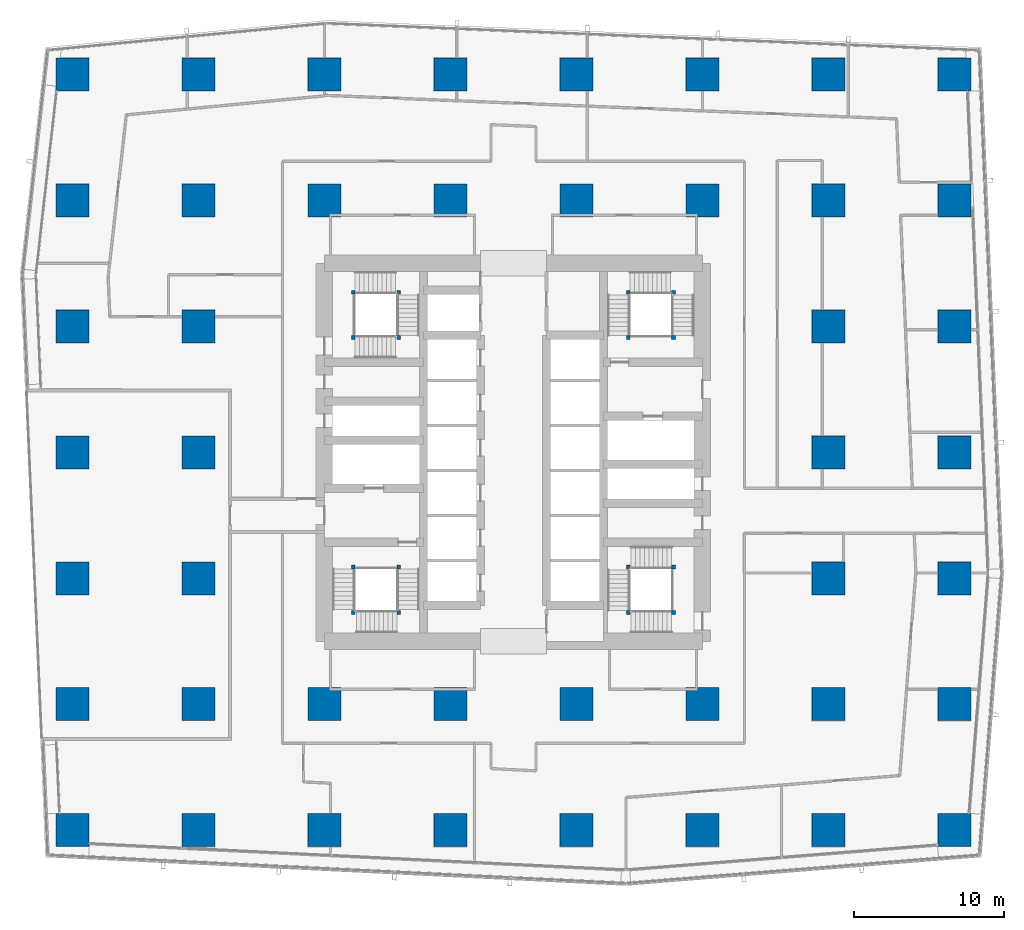
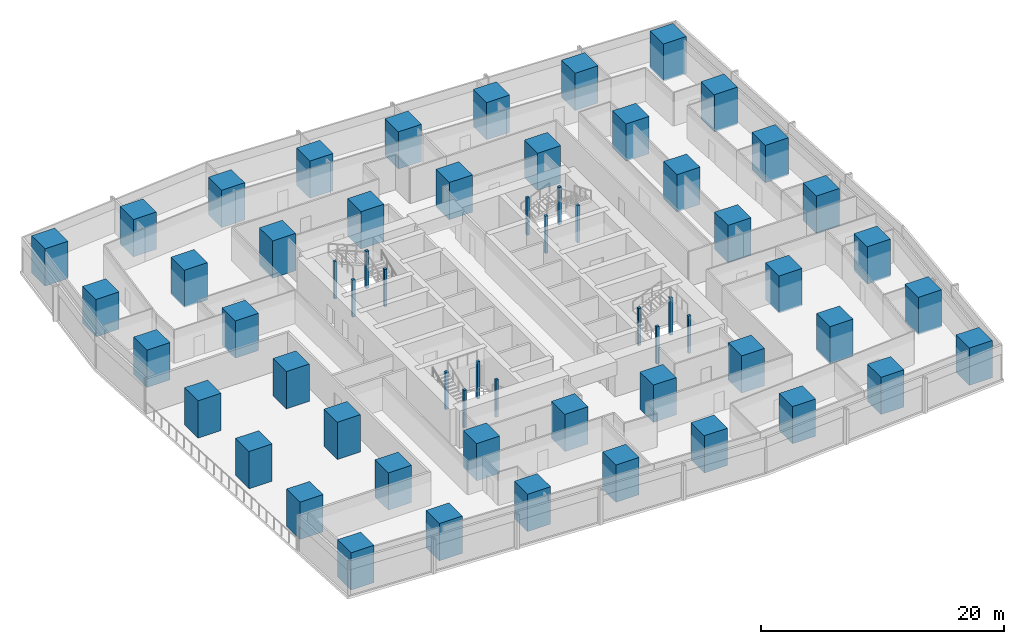
# One storey, part 1 of 42: 60 columns.
"""IFC4 building model written with IfcOpenShell, lengths in metres."""

from ifc_helpers import new_model, si_unit, direction, frame, origin, origin_2d, place, context, subcontext, project, spatial, rectangle, extrude, material, material_profile, profile_set, type_object, element, save


model = new_model("IFC4")

# Units and contexts
model_context = context("Model", 3, precision=1e-05, world=origin(), true_north=direction((0.0, 1.0)))
body_context = subcontext(model_context, "Body", "Model", "MODEL_VIEW")
ifc_project = project(units=[si_unit("LENGTHUNIT", "METRE"), si_unit("AREAUNIT", "SQUARE_METRE"), si_unit("VOLUMEUNIT", "CUBIC_METRE"), si_unit("PLANEANGLEUNIT", "RADIAN"), si_unit("MASSUNIT", "GRAM", prefix="KILO")], contexts=[model_context])

# Site, building, storey
site_placement = place(None, origin())
site = spatial("IfcSite", under=ifc_project, at=site_placement, CompositionType="ELEMENT")
building_placement = place(site_placement, origin())
building = spatial("IfcBuilding", under=site, at=building_placement, Name="Rekha Terrace Tower", CompositionType="ELEMENT")
storey_placement = place(building_placement, frame((0.0, 0.0, 55.39990234375)))
storey = spatial("IfcBuildingStorey", under=building, at=storey_placement, Name="L13", CompositionType="ELEMENT", Elevation=55.39990234375)

# Columns
ifc_material_1 = material(Name="Concrete M70", Category="concrete")
ifc_material_profile_1 = material_profile(ifc_material_1, rectangle(XDim=2.199951171875, YDim=2.199951171875, at=origin_2d()), Name="RC 2200x2200")
ifc_profile_set_1 = profile_set([ifc_material_profile_1], Name="Concrete M70")
column_type_1 = type_object("IfcColumnType", Name="C2 2200x2200 column", PredefinedType="COLUMN", material=ifc_profile_set_1)
for number, where, z_axis, x_axis, name in (
    (1, (8.39990234375, 8.39990234375, 0.0), (0.0, 0.0, 1.0), (1.0, 0.0, 0.0), "Column C2 2/B L13"),
    (2, (8.39990234375, 16.800048828125, 0.0), (0.0, 0.0, 1.0), (1.0, 0.0, 0.0), "Column C2 2/C L13"),
    (3, (8.39990234375, 25.199951171875, 0.0), (0.0, 0.0, 1.0), (1.0, 0.0, 0.0), "Column C2 2/D L13"),
    (4, (8.39990234375, 33.60009765625, 0.0), (0.0, 0.0, 1.0), (1.0, 0.0, 0.0), "Column C2 2/E L13"),
    (5, (8.39990234375, 42.0, 0.0), (0.0, 0.0, 1.0), (1.0, 0.0, 0.0), "Column C2 2/F L13"),
    (6, (8.39990234375, 50.39990234375, 0.0), (0.0, 0.0, 1.0), (1.0, 0.0, 0.0), "Column C2 2/G L13"),
    (7, (8.39990234375, 58.800048828125, 0.0), (0.0, 0.0, 1.0), (1.0, 0.0, 0.0), "Column C2 2/H L13"),
    (8, (16.800048828125, 8.39990234375, 0.0), (0.0, 0.0, 1.0), (1.0, 0.0, 0.0), "Column C2 3/B L13"),
    (9, (16.800048828125, 16.800048828125, 0.0), (0.0, 0.0, 1.0), (1.0, 0.0, 0.0), "Column C2 3/C L13"),
    (10, (16.800048828125, 25.199951171875, 0.0), (0.0, 0.0, 1.0), (1.0, 0.0, 0.0), "Column C2 3/D L13"),
    (11, (16.800048828125, 33.60009765625, 0.0), (0.0, 0.0, 1.0), (1.0, 0.0, 0.0), "Column C2 3/E L13"),
    (12, (16.800048828125, 42.0, 0.0), (0.0, 0.0, 1.0), (1.0, 0.0, 0.0), "Column C2 3/F L13"),
    (13, (16.800048828125, 50.39990234375, 0.0), (0.0, 0.0, 1.0), (1.0, 0.0, 0.0), "Column C2 3/G L13"),
    (14, (16.800048828125, 58.800048828125, 0.0), (0.0, 0.0, 1.0), (1.0, 0.0, 0.0), "Column C2 3/H L13"),
    (15, (25.199951171875, 8.39990234375, 0.0), (0.0, 0.0, 1.0), (1.0, 0.0, 0.0), "Column C2 4/B L13"),
    (16, (25.199951171875, 16.800048828125, 0.0), (0.0, 0.0, 1.0), (1.0, 0.0, 0.0), "Column C2 4/C L13"),
    (17, (25.199951171875, 50.39990234375, 0.0), (0.0, 0.0, 1.0), (1.0, 0.0, 0.0), "Column C2 4/G L13"),
    (18, (25.199951171875, 58.800048828125, 0.0), (0.0, 0.0, 1.0), (1.0, 0.0, 0.0), "Column C2 4/H L13"),
    (19, (33.60009765625, 8.39990234375, 0.0), (0.0, 0.0, 1.0), (1.0, 0.0, 0.0), "Column C2 5/B L13"),
    (20, (33.60009765625, 16.800048828125, 0.0), (0.0, 0.0, 1.0), (1.0, 0.0, 0.0), "Column C2 5/C L13"),
    (21, (33.60009765625, 50.39990234375, 0.0), (0.0, 0.0, 1.0), (1.0, 0.0, 0.0), "Column C2 5/G L13"),
    (22, (33.60009765625, 58.800048828125, 0.0), (0.0, 0.0, 1.0), (1.0, 0.0, 0.0), "Column C2 5/H L13"),
    (23, (42.0, 8.39990234375, 0.0), (0.0, 0.0, 1.0), (1.0, 0.0, 0.0), "Column C2 6/B L13"),
    (24, (42.0, 16.800048828125, 0.0), (0.0, 0.0, 1.0), (1.0, 0.0, 0.0), "Column C2 6/C L13"),
    (25, (42.0, 50.39990234375, 0.0), (0.0, 0.0, 1.0), (1.0, 0.0, 0.0), "Column C2 6/G L13"),
    (26, (42.0, 58.800048828125, 0.0), (0.0, 0.0, 1.0), (1.0, 0.0, 0.0), "Column C2 6/H L13"),
    (27, (50.39990234375, 8.39990234375, 0.0), (0.0, 0.0, 1.0), (1.0, 0.0, 0.0), "Column C2 7/B L13"),
    (28, (50.39990234375, 16.800048828125, 0.0), (0.0, 0.0, 1.0), (1.0, 0.0, 0.0), "Column C2 7/C L13"),
    (29, (50.39990234375, 50.39990234375, 0.0), (0.0, 0.0, 1.0), (1.0, 0.0, 0.0), "Column C2 7/G L13"),
    (30, (50.39990234375, 58.800048828125, 0.0), (0.0, 0.0, 1.0), (1.0, 0.0, 0.0), "Column C2 7/H L13"),
    (31, (58.800048828125, 8.39990234375, 0.0), (0.0, 0.0, 1.0), (1.0, 0.0, 0.0), "Column C2 8/B L13"),
    (32, (58.800048828125, 16.800048828125, 0.0), (0.0, 0.0, 1.0), (1.0, 0.0, 0.0), "Column C2 8/C L13"),
    (33, (58.800048828125, 25.199951171875, 0.0), (0.0, 0.0, 1.0), (1.0, 0.0, 0.0), "Column C2 8/D L13"),
    (34, (58.800048828125, 33.60009765625, 0.0), (0.0, 0.0, 1.0), (1.0, 0.0, 0.0), "Column C2 8/E L13"),
    (35, (58.800048828125, 42.0, 0.0), (0.0, 0.0, 1.0), (1.0, 0.0, 0.0), "Column C2 8/F L13"),
    (36, (58.800048828125, 50.39990234375, 0.0), (0.0, 0.0, 1.0), (1.0, 0.0, 0.0), "Column C2 8/G L13"),
    (37, (58.800048828125, 58.800048828125, 0.0), (0.0, 0.0, 1.0), (1.0, 0.0, 0.0), "Column C2 8/H L13"),
    (38, (67.199951171875, 8.39990234375, 0.0), (0.0, 0.0, 1.0), (1.0, 0.0, 0.0), "Column C2 9/B L13"),
    (39, (67.199951171875, 16.800048828125, 0.0), (0.0, 0.0, 1.0), (1.0, 0.0, 0.0), "Column C2 9/C L13"),
    (40, (67.199951171875, 25.199951171875, 0.0), (0.0, 0.0, 1.0), (1.0, 0.0, 0.0), "Column C2 9/D L13"),
    (41, (67.199951171875, 33.60009765625, 0.0), (0.0, 0.0, 1.0), (1.0, 0.0, 0.0), "Column C2 9/E L13"),
    (42, (67.199951171875, 42.0, 0.0), (0.0, 0.0, 1.0), (1.0, 0.0, 0.0), "Column C2 9/F L13"),
    (43, (67.199951171875, 50.39990234375, 0.0), (0.0, 0.0, 1.0), (1.0, 0.0, 0.0), "Column C2 9/G L13"),
    (44, (67.199951171875, 58.800048828125, 0.0), (0.0, 0.0, 1.0), (1.0, 0.0, 0.0), "Column C2 9/H L13"),
):
    element("IfcColumn", number, at=place(storey_placement, frame(where, z_axis=z_axis, x_axis=x_axis)), inside=storey, type_object=column_type_1, Name=name, PredefinedType="COLUMN", context=body_context, shape_type="SweptSolid", body=[
        extrude(rectangle(XDim=2.199951171875, YDim=2.199951171875, at=origin_2d()), origin(), (0.0, 0.0, 1.0), 3.75),
    ])
ifc_material_2 = material(Name="Concrete M60", Category="concrete")
ifc_material_profile_2 = material_profile(ifc_material_2, rectangle(XDim=0.25, YDim=0.25, at=origin_2d()), Name="RC 250x250")
ifc_profile_set_2 = profile_set([ifc_material_profile_2], Name="Concrete M60")
column_type_2 = type_object("IfcColumnType", Name="NP1 250x250 stair newel post", PredefinedType="COLUMN", material=ifc_profile_set_2)
for number, where, z_axis, x_axis, name in (
    (45, (30.14990234375, 25.949951171875, 0.0), (0.0, 0.0, 1.0), (1.0, 0.0, 0.0), "Stair newel post NP1"),
    (46, (30.14990234375, 22.925048828125, 0.0), (0.0, 0.0, 1.0), (1.0, 0.0, 0.0), "Stair newel post NP1"),
    (47, (27.125, 22.925048828125, 0.0), (0.0, 0.0, 1.0), (1.0, 0.0, 0.0), "Stair newel post NP1"),
    (48, (27.125, 25.949951171875, 0.0), (0.0, 0.0, 1.0), (1.0, 0.0, 0.0), "Stair newel post NP1"),
    (49, (45.449951171875, 41.25, 0.0), (0.0, 0.0, 1.0), (1.0, 0.0, 0.0), "Stair newel post NP1"),
    (50, (45.449951171875, 44.27490234375, 0.0), (0.0, 0.0, 1.0), (1.0, 0.0, 0.0), "Stair newel post NP1"),
    (51, (48.47509765625, 44.27490234375, 0.0), (0.0, 0.0, 1.0), (1.0, 0.0, 0.0), "Stair newel post NP1"),
    (52, (48.47509765625, 41.25, 0.0), (0.0, 0.0, 1.0), (1.0, 0.0, 0.0), "Stair newel post NP1"),
    (53, (48.47509765625, 22.925048828125, 0.0), (0.0, 0.0, 1.0), (1.0, 0.0, 0.0), "Stair newel post NP1"),
    (54, (45.449951171875, 22.925048828125, 0.0), (0.0, 0.0, 1.0), (1.0, 0.0, 0.0), "Stair newel post NP1"),
    (55, (45.449951171875, 25.949951171875, 0.0), (0.0, 0.0, 1.0), (1.0, 0.0, 0.0), "Stair newel post NP1"),
    (56, (48.47509765625, 25.949951171875, 0.0), (0.0, 0.0, 1.0), (1.0, 0.0, 0.0), "Stair newel post NP1"),
    (57, (27.125, 41.25, 0.0), (0.0, 0.0, 1.0), (1.0, 0.0, 0.0), "Stair newel post NP1"),
    (58, (30.14990234375, 41.25, 0.0), (0.0, 0.0, 1.0), (1.0, 0.0, 0.0), "Stair newel post NP1"),
    (59, (30.14990234375, 44.27490234375, 0.0), (0.0, 0.0, 1.0), (1.0, 0.0, 0.0), "Stair newel post NP1"),
    (60, (27.125, 44.27490234375, 0.0), (0.0, 0.0, 1.0), (1.0, 0.0, 0.0), "Stair newel post NP1"),
):
    element("IfcColumn", number, at=place(storey_placement, frame(where, z_axis=z_axis, x_axis=x_axis)), inside=storey, type_object=column_type_2, Name=name, PredefinedType="COLUMN", context=body_context, shape_type="SweptSolid", body=[
        extrude(rectangle(XDim=0.25, YDim=0.25, at=origin_2d()), origin(), (0.0, 0.0, 1.0), 3.75),
    ])

save(model, "model.ifc")
